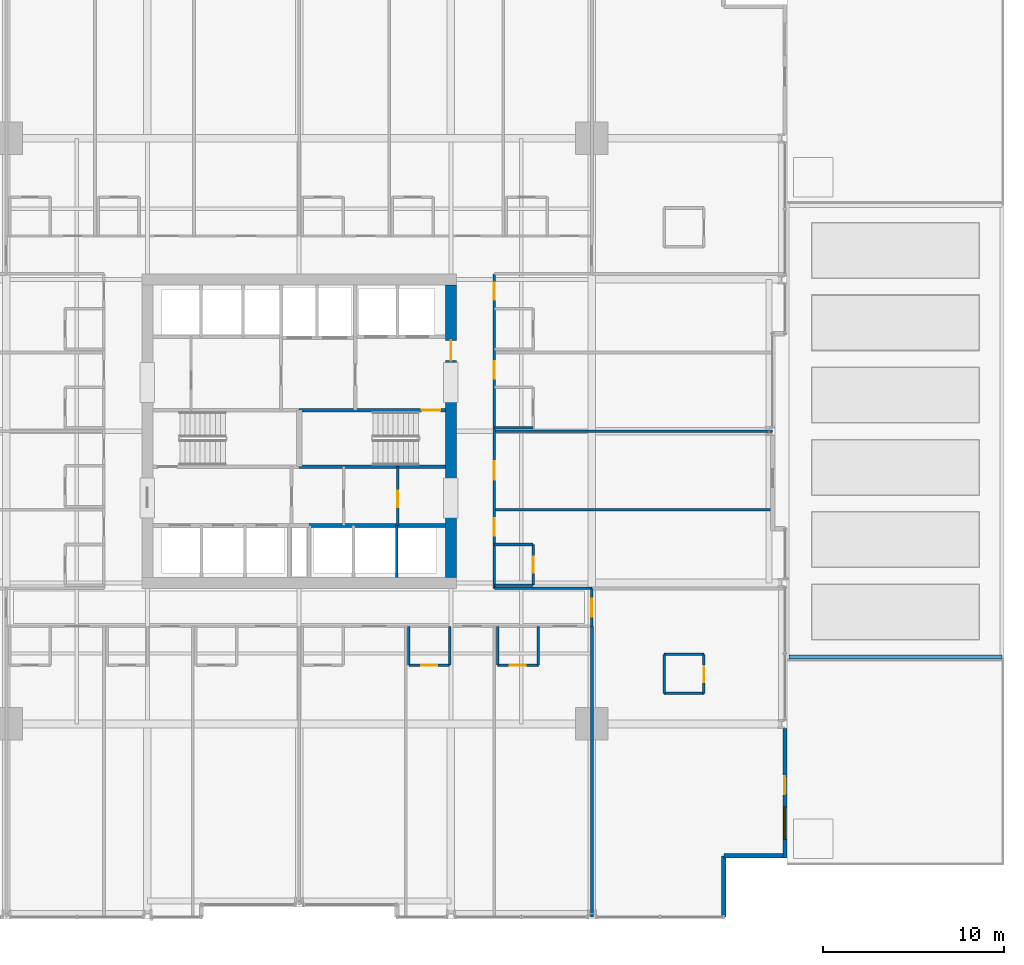
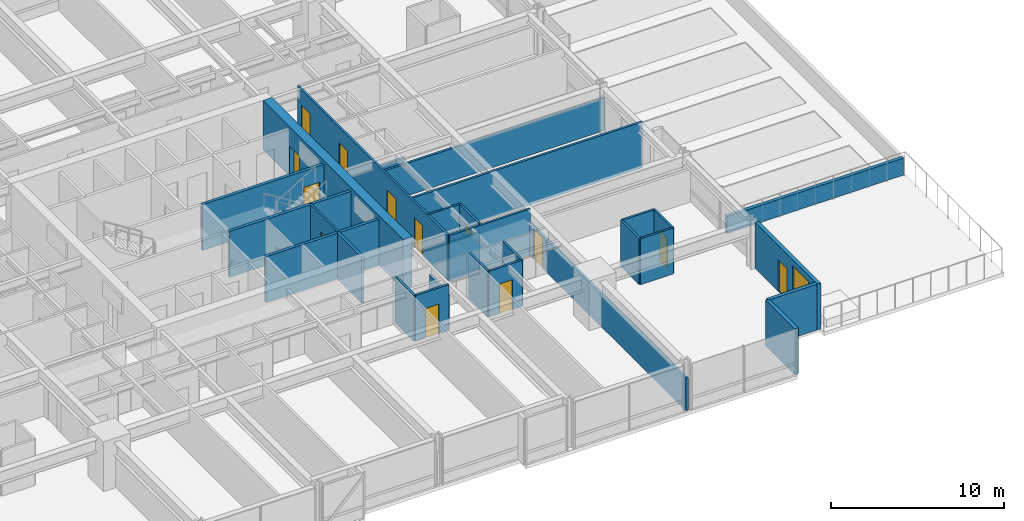
# One storey, part 33 of 42: 30 walls, 13 doors, 1 window, 14 openings.
"""IFC4 building model written with IfcOpenShell, lengths in metres."""

import ifcopenshell
import ifcopenshell.guid

model = None  # the IFC model being written
_history = None  # IfcOwnerHistory: only IFC2X3 demands one
_inside = {}  # id of a spatial element -> (the spatial element, [elements in it])
_under = {}  # id of a project, library or spatial element -> (it, [spatial elements below it])
_declared = {}  # id of a project -> (the project, [libraries it declares])
_typed = {}  # id of a type object -> (the type object, [elements of that type])
_made_of = {}  # id of a material, layer set ... -> (it, [elements and type objects made of it])


def new_model(schema):
    """Start an empty IFC model of exactly this schema.

    Asked for "IFC4X3", IfcOpenShell would pick the latest addendum, in which some entities
    have other attributes; the version numbers below select the first issue.
    IFC2X3 requires an IfcOwnerHistory on every rooted entity: one is made here for all.
    """
    global model, _history
    if schema == "IFC4X3":
        model = ifcopenshell.file(schema_version=(4, 3, 0, 0))
    else:
        model = ifcopenshell.file(schema=schema)
    _inside.clear()
    _under.clear()
    _declared.clear()
    _typed.clear()
    _made_of.clear()
    _history = None
    if model.schema == "IFC2X3":
        org = make("IfcOrganization", Name="unknown")
        user = make(
            "IfcPersonAndOrganization",
            ThePerson=make("IfcPerson", FamilyName="unknown"),
            TheOrganization=org,
        )
        app = make(
            "IfcApplication",
            ApplicationDeveloper=org,
            Version="unknown",
            ApplicationFullName="unknown",
            ApplicationIdentifier="unknown",
        )
        _history = make(
            "IfcOwnerHistory",
            OwningUser=user,
            OwningApplication=app,
            ChangeAction="ADDED",
            CreationDate=0,
        )
    return model


def make(cls, **values):
    """One entity of the class cls with the attributes given. An attribute that is None is left unset."""
    return model.create_entity(
        cls, **{name: value for name, value in values.items() if value is not None}
    )


def rooted(cls, **values):
    """An entity with a GlobalId (a new one), such as an element, a storey or a relation."""
    return make(cls, GlobalId=ifcopenshell.guid.new(), OwnerHistory=_history, **values)


def si_unit(unit_type, name, prefix=None):
    """IfcSIUnit, for example si_unit("LENGTHUNIT", "METRE", prefix="MILLI")."""
    return make("IfcSIUnit", UnitType=unit_type, Prefix=prefix, Name=name)


def assignment(units):
    """IfcUnitAssignment: the units of a project."""
    return None if units is None else make("IfcUnitAssignment", Units=units)


def point(xyz):
    """IfcCartesianPoint."""
    return None if xyz is None else make("IfcCartesianPoint", Coordinates=xyz)


def direction(xyz):
    """IfcDirection."""
    return None if xyz is None else make("IfcDirection", DirectionRatios=xyz)


def frame(location, z_axis=None, x_axis=None):
    """IfcAxis2Placement3D, a coordinate frame: its origin and axes. An axis left out is left unset."""
    return make(
        "IfcAxis2Placement3D",
        Location=point(location),
        Axis=direction(z_axis),
        RefDirection=direction(x_axis),
    )


def frame_2d(location, x_axis=None):
    """IfcAxis2Placement2D, a coordinate frame in the plane: its origin and x axis."""
    return make(
        "IfcAxis2Placement2D", Location=point(location), RefDirection=direction(x_axis)
    )


def origin():
    """The frame at (0, 0, 0) with its axes left unset."""
    return frame((0.0, 0.0, 0.0))


def place(relative_to, where):
    """IfcLocalPlacement: puts the frame where relative to a parent placement (None: the world)."""
    return make(
        "IfcLocalPlacement", PlacementRelTo=relative_to, RelativePlacement=where
    )


def context(
    kind, dimensions, precision=None, world=None, true_north=None, identifier=None
):
    """IfcGeometricRepresentationContext, for example the 3D "Model" context."""
    return make(
        "IfcGeometricRepresentationContext",
        ContextIdentifier=identifier,
        ContextType=kind,
        CoordinateSpaceDimension=dimensions,
        Precision=precision,
        WorldCoordinateSystem=world,
        TrueNorth=true_north,
    )


def subcontext(parent, identifier, kind, view, scale=None):
    """IfcGeometricRepresentationSubContext, for example "Body" below "Model"."""
    return make(
        "IfcGeometricRepresentationSubContext",
        ContextIdentifier=identifier,
        ContextType=kind,
        ParentContext=parent,
        TargetScale=scale,
        TargetView=view,
    )


def project(units=None, contexts=None):
    """IfcProject with its units and contexts."""
    return rooted(
        "IfcProject",
        Name="project",
        RepresentationContexts=contexts,
        UnitsInContext=assignment(units),
    )


def spatial(cls, under=None, at=None, **own):
    """A site, building, storey or space (cls), placed at a placement, below another one or the project."""
    s = rooted(cls, ObjectPlacement=at, **own)
    if under is not None:
        _under.setdefault(under.id(), (under, []))[1].append(s)
    return s


def profile(cls, at=None, kind="AREA", **sizes):
    """A parametric profile (cls). Its sizes go by their IFC names, for example OverallWidth=200.0."""
    return make(cls, ProfileType=kind, Position=at, **sizes)


def rectangle(**sizes):
    """IfcRectangleProfileDef."""
    return profile("IfcRectangleProfileDef", **sizes)


def extrude(swept, where, along, depth):
    """IfcExtrudedAreaSolid: the profile swept, set in the frame where, extruded along a direction by depth."""
    return make(
        "IfcExtrudedAreaSolid",
        SweptArea=swept,
        Position=where,
        ExtrudedDirection=direction(along),
        Depth=depth,
    )


def shape(context_of_items, identifier, shape_type, items):
    """IfcShapeRepresentation: the items that make up one representation, for example the "Body"."""
    return make(
        "IfcShapeRepresentation",
        ContextOfItems=context_of_items,
        RepresentationIdentifier=identifier,
        RepresentationType=shape_type,
        Items=items,
    )


def material(Name=None, Category=None):
    """IfcMaterial."""
    return make("IfcMaterial", Name=Name, Category=Category)


def layer(
    of_material, thickness, ventilated=None, Name=None, Category=None, Priority=None
):
    """IfcMaterialLayer: one layer of a wall or slab, of a material (None: an air gap)."""
    return make(
        "IfcMaterialLayer",
        Material=of_material,
        LayerThickness=thickness,
        IsVentilated=ventilated,
        Name=Name,
        Category=Category,
        Priority=Priority,
    )


def layer_set(layers, Name=None):
    """IfcMaterialLayerSet."""
    return make("IfcMaterialLayerSet", MaterialLayers=layers, LayerSetName=Name)


def made_of(thing, what):
    """Note that an element or type object is made of a material, layer set ...; save() writes the relation."""
    if what is not None:
        _made_of.setdefault(what.id(), (what, []))[1].append(thing)
    return thing


def type_object(cls, material=None, **own):
    """A type object (cls), such as IfcWallType, which elements share."""
    return made_of(rooted(cls, **own), material)


def element(
    cls,
    number,
    at=None,
    inside=None,
    cuts=None,
    type_object=None,
    material=None,
    context=None,
    identifier="Body",
    shape_type=None,
    held_by="IfcProductDefinitionShape",
    body=None,
    shapes=None,
    **own,
):
    """One element of the class cls, such as IfcWall. Its Tag is "e" and its number.

    at: its placement. inside: the storey or other place that contains it. cuts: it is an
    opening in that element (IfcRelVoidsElement). A single representation is given by context,
    identifier, shape_type and body (its items); several are given by shapes. held_by: the class
    of the entity that holds the representations. save() writes the other relations.
    """
    e = rooted(cls, Tag="e%d" % number, ObjectPlacement=at, **own)
    if body is not None:
        shapes = [shape(context, identifier, shape_type, body)]
    if shapes is not None:
        e.Representation = make(held_by, Representations=shapes)
    if inside is not None:
        _inside.setdefault(inside.id(), (inside, []))[1].append(e)
    if cuts is not None:
        rooted(
            "IfcRelVoidsElement", RelatingBuildingElement=cuts, RelatedOpeningElement=e
        )
    if type_object is not None:
        _typed.setdefault(type_object.id(), (type_object, []))[1].append(e)
    return made_of(e, material)


def fill(opening, filler):
    """IfcRelFillsElement: the door or window that sits in an opening."""
    return rooted(
        "IfcRelFillsElement",
        RelatingOpeningElement=opening,
        RelatedBuildingElement=filler,
    )


def aggregate(whole, parts):
    """IfcRelAggregates: a whole, such as a stair, and the parts it consists of."""
    return rooted("IfcRelAggregates", RelatingObject=whole, RelatedObjects=parts)


def save(model, path):
    """Write the relations noted so far, then the file.

    IfcRelAggregates (storeys below a building ...), IfcRelContainedInSpatialStructure (elements
    in a storey), IfcRelDefinesByType, IfcRelAssociatesMaterial and IfcRelDeclares: one each for
    every whole, place, type object, material and project.
    """
    for whole, parts in _under.values():
        aggregate(whole, parts)
    for where, things in _inside.values():
        rooted(
            "IfcRelContainedInSpatialStructure",
            RelatedElements=things,
            RelatingStructure=where,
        )
    for kind, things in _typed.values():
        rooted("IfcRelDefinesByType", RelatedObjects=things, RelatingType=kind)
    for what, things in _made_of.values():
        rooted("IfcRelAssociatesMaterial", RelatedObjects=things, RelatingMaterial=what)
    for by, libraries in _declared.values():
        rooted("IfcRelDeclares", RelatingContext=by, RelatedDefinitions=libraries)
    model.write(path)


model = new_model("IFC4")

# Units and contexts
model_context = context("Model", 3, precision=1e-05, world=origin(), true_north=direction((0.0, 1.0)))
body_context = subcontext(model_context, "Body", "Model", "MODEL_VIEW")
ifc_project = project(units=[si_unit("LENGTHUNIT", "METRE"), si_unit("AREAUNIT", "SQUARE_METRE"), si_unit("VOLUMEUNIT", "CUBIC_METRE"), si_unit("PLANEANGLEUNIT", "RADIAN"), si_unit("MASSUNIT", "GRAM", prefix="KILO")], contexts=[model_context])

# Site, building, storey
site_placement = place(None, origin())
site = spatial("IfcSite", under=ifc_project, at=site_placement, CompositionType="ELEMENT")
building_placement = place(site_placement, origin())
building = spatial("IfcBuilding", under=site, at=building_placement, Name="Drelvath Grand Hotel", CompositionType="ELEMENT")
storey_placement = place(building_placement, frame((0.0, 0.0, 33.199951171875)))
storey = spatial("IfcBuildingStorey", under=building, at=storey_placement, Name="L06", CompositionType="ELEMENT", Elevation=33.199951171875)

# Walls
ifc_material_1 = material(Name="Concrete C40/50", Category="concrete")
ifc_layer_1 = layer(ifc_material_1, 0.199951171875)
ifc_layer_set_1 = layer_set([ifc_layer_1], Name="Concrete C40/50")
wall_type_1 = type_object("IfcWallType", Name="Core Hoistway Fire Wall 200", PredefinedType="SOLIDWALL", material=ifc_layer_set_1)
wall_1_placement = place(storey_placement, frame((8.10009765625, 21.780029296875, 0.0), z_axis=(0.0, 0.0, 1.0), x_axis=(-1.0, 0.0, 0.0)))
element("IfcWall", 1, at=wall_1_placement, inside=storey, type_object=wall_type_1, Name="L06 Bank 2 Hoistway Wall", PredefinedType="SOLIDWALL", context=body_context, shape_type="SweptSolid", body=[
    extrude(rectangle(XDim=7.550048828125, YDim=0.199951171875, at=frame_2d((3.77490234375, 0.0))), origin(), (0.0, 0.0, 1.0), 3.239990234375),
])
ifc_layer_2 = layer(ifc_material_1, 0.199951171875)
ifc_layer_set_2 = layer_set([ifc_layer_2], Name="Concrete C40/50")
wall_type_2 = type_object("IfcWallType", Name="Core Shaft Fire Wall 200", PredefinedType="SOLIDWALL", material=ifc_layer_set_2)
wall_2_placement = place(storey_placement, frame((0.0, 25.0400390625, 0.0), z_axis=(0.0, 0.0, 1.0), x_axis=(1.0, 0.0, 0.0)))
element("IfcWall", 2, at=wall_2_placement, inside=storey, type_object=wall_type_2, Name="L06 Stair ST-2 South Wall", PredefinedType="SOLIDWALL", context=body_context, shape_type="SweptSolid", body=[
    extrude(rectangle(XDim=8.10009765625, YDim=0.199951171875, at=frame_2d((4.050048828125, 0.0))), origin(), (0.0, 0.0, 1.0), 3.239990234375),
])

# Wall, opening, door
wall_3_placement = place(storey_placement, frame((8.10009765625, 28.159912109375, 0.0), z_axis=(0.0, 0.0, 1.0), x_axis=(-1.0, 0.0, 0.0)))
wall_3 = element("IfcWall", 3, at=wall_3_placement, inside=storey, type_object=wall_type_2, Name="L06 Stair ST-2 North Wall", PredefinedType="SOLIDWALL", context=body_context, shape_type="SweptSolid", body=[
    extrude(rectangle(XDim=8.10009765625, YDim=0.199951171875, at=frame_2d((4.050048828125, 0.0))), origin(), (0.0, 0.0, 1.0), 3.239990234375),
])
opening_1_placement = place(wall_3_placement, frame((0.280029296875, 0.0, 0.0)))
opening_1 = element("IfcOpeningElement", 4, at=opening_1_placement, cuts=wall_3, Name="Opening D-T1G1-002", PredefinedType="OPENING", context=body_context, shape_type="SweptSolid", body=[
    extrude(rectangle(XDim=1.050048828125, YDim=2.10009765625, at=frame_2d((0.52490234375, 1.050048828125))), frame((0.0, 0.10986328125, 0.0), z_axis=(0.0, -1.0, 0.0), x_axis=(1.0, 0.0, 0.0)), (0.0, 0.0, 1.0), 0.219970703125),
])
ifc_material_2 = material(Name="Painted Steel S275", Category="steel")
door_type_1 = type_object("IfcDoorType", Name="Tower Stairwell Fire Door 1050x2100", OperationType="NOTDEFINED", PredefinedType="DOOR", material=ifc_material_2)
door_1_placement = place(opening_1_placement, origin())
door_1 = element("IfcDoor", 5, at=door_1_placement, inside=storey, type_object=door_type_1, Name="L06 Exit Stair ST-2 Door", OperationType="SINGLE_SWING_LEFT", OverallHeight=2.10009765625, OverallWidth=1.050048828125, PredefinedType="DOOR", context=body_context, shape_type="SweptSolid", body=[
    extrude(rectangle(XDim=1.050048828125, YDim=2.10009765625, at=frame_2d((0.52490234375, 1.050048828125))), frame((0.0, 0.02490234375, 0.0), z_axis=(0.0, -1.0, 0.0), x_axis=(1.0, 0.0, 0.0)), (0.0, 0.0, 1.0), 0.050048828125),
])
fill(opening_1, door_1)

# Walls
ifc_material_3 = material(Name="Gypsum Fireboard Partition")
ifc_layer_3 = layer(ifc_material_3, 0.1650390625)
ifc_layer_set_3 = layer_set([ifc_layer_3], Name="Gypsum Fireboard Partition")
wall_type_3 = type_object("IfcWallType", Name="Core Shaft Partition 165", PredefinedType="PARTITIONING", material=ifc_layer_set_3)
wall_4_placement = place(storey_placement, frame((5.39990234375, 18.89990234375, 0.0), z_axis=(0.0, 0.0, 1.0), x_axis=(0.0, 1.0, 0.0)))
element("IfcWall", 6, at=wall_4_placement, inside=storey, type_object=wall_type_3, Name="L06 Lift PE-5/6 Divider", PredefinedType="PARTITIONING", context=body_context, shape_type="SweptSolid", body=[
    extrude(rectangle(XDim=2.880126953125, YDim=0.1650390625, at=frame_2d((1.43994140625, 0.0))), origin(), (0.0, 0.0, 1.0), 3.239990234375),
])
ifc_layer_4 = layer(ifc_material_3, 0.135009765625)
ifc_layer_set_4 = layer_set([ifc_layer_4], Name="Gypsum Fireboard Partition")
wall_type_4 = type_object("IfcWallType", Name="Corridor Fire Barrier Wall 135", PredefinedType="PARTITIONING", material=ifc_layer_set_4)
wall_5_placement = place(storey_placement, frame((10.800048828125, 18.300048828125, 0.0), z_axis=(0.0, 0.0, 1.0), x_axis=(1.0, 0.0, 0.0)))
element("IfcWall", 7, at=wall_5_placement, inside=storey, type_object=wall_type_4, Name="L06 SE Spur Inner Wall", PredefinedType="PARTITIONING", context=body_context, shape_type="SweptSolid", body=[
    extrude(rectangle(XDim=5.39990234375, YDim=0.135009765625, at=frame_2d((2.699951171875, 0.0))), origin(), (0.0, 0.0, 1.0), 3.239990234375),
])

# Wall, openings, doors
wall_6_placement = place(storey_placement, frame((10.800048828125, 18.300048828125, 0.0), z_axis=(0.0, 0.0, 1.0), x_axis=(0.0, 1.0, 0.0)))
wall_6 = element("IfcWall", 8, at=wall_6_placement, inside=storey, type_object=wall_type_4, Name="L06 East Corridor Wall", PredefinedType="PARTITIONING", context=body_context, shape_type="SweptSolid", body=[
    extrude(rectangle(XDim=17.39990234375, YDim=0.135009765625, at=frame_2d((8.699951171875, 0.0))), origin(), (0.0, 0.0, 1.0), 3.239990234375),
])
opening_2_placement = place(wall_6_placement, frame((2.909912109375, 0.0, 0.0)))
opening_2 = element("IfcOpeningElement", 9, at=opening_2_placement, cuts=wall_6, Name="Opening D-T1G1-058", PredefinedType="OPENING", context=body_context, shape_type="SweptSolid", body=[
    extrude(rectangle(XDim=0.9599609375, YDim=2.14990234375, at=frame_2d((0.47998046875, 1.074951171875))), frame((0.0, 0.077392578125, 0.0), z_axis=(0.0, -1.0, 0.0), x_axis=(1.0, 0.0, 0.0)), (0.0, 0.0, 1.0), 0.155029296875),
])
opening_3_placement = place(wall_6_placement, frame((6.014892578125, 0.0, 0.0)))
opening_3 = element("IfcOpeningElement", 10, at=opening_3_placement, cuts=wall_6, Name="Opening D-T1G1-059", PredefinedType="OPENING", context=body_context, shape_type="SweptSolid", body=[
    extrude(rectangle(XDim=1.02001953125, YDim=2.14990234375, at=frame_2d((0.510009765625, 1.074951171875))), frame((0.0, 0.077392578125, 0.0), z_axis=(0.0, -1.0, 0.0), x_axis=(1.0, 0.0, 0.0)), (0.0, 0.0, 1.0), 0.155029296875),
])
opening_4_placement = place(wall_6_placement, frame((11.610107421875, 0.0, 0.0)))
opening_4 = element("IfcOpeningElement", 11, at=opening_4_placement, cuts=wall_6, Name="Opening D-T1G1-061", PredefinedType="OPENING", context=body_context, shape_type="SweptSolid", body=[
    extrude(rectangle(XDim=0.9599609375, YDim=2.14990234375, at=frame_2d((0.47998046875, 1.074951171875))), frame((0.0, 0.077392578125, 0.0), z_axis=(0.0, -1.0, 0.0), x_axis=(1.0, 0.0, 0.0)), (0.0, 0.0, 1.0), 0.155029296875),
])
opening_5_placement = place(wall_6_placement, frame((15.9599609375, 0.0, 0.0)))
opening_5 = element("IfcOpeningElement", 12, at=opening_5_placement, cuts=wall_6, Name="Opening D-T1G1-063", PredefinedType="OPENING", context=body_context, shape_type="SweptSolid", body=[
    extrude(rectangle(XDim=0.9599609375, YDim=2.14990234375, at=frame_2d((0.47998046875, 1.074951171875))), frame((0.0, 0.077392578125, 0.0), z_axis=(0.0, -1.0, 0.0), x_axis=(1.0, 0.0, 0.0)), (0.0, 0.0, 1.0), 0.155029296875),
])
ifc_material_4 = material(Name="Hardwood Walnut Timber", Category="wood")
door_type_2 = type_object("IfcDoorType", Name="Amenity Meeting Fire Door 1020x2150", OperationType="NOTDEFINED", PredefinedType="DOOR", material=ifc_material_4)
door_2_placement = place(opening_3_placement, origin())
door_2 = element("IfcDoor", 13, at=door_2_placement, inside=storey, type_object=door_type_2, Name="L06 Concierge Administration Office Entry Door", OperationType="SINGLE_SWING_RIGHT", OverallHeight=2.14990234375, OverallWidth=1.02001953125, PredefinedType="DOOR", context=body_context, shape_type="SweptSolid", body=[
    extrude(rectangle(XDim=1.02001953125, YDim=2.14990234375, at=frame_2d((0.510009765625, 1.074951171875))), frame((0.0, 0.02490234375, 0.0), z_axis=(0.0, -1.0, 0.0), x_axis=(1.0, 0.0, 0.0)), (0.0, 0.0, 1.0), 0.050048828125),
])
fill(opening_3, door_2)
door_type_3 = type_object("IfcDoorType", Name="Guestroom Entrance Fire Door 960x2150", OperationType="NOTDEFINED", PredefinedType="DOOR", material=ifc_material_4)
door_3_placement = place(opening_2_placement, origin())
door_3 = element("IfcDoor", 14, at=door_3_placement, inside=storey, type_object=door_type_3, Name="L06 King Guest Room Entry Door", OperationType="SINGLE_SWING_LEFT", OverallHeight=2.14990234375, OverallWidth=0.9599609375, PredefinedType="DOOR", context=body_context, shape_type="SweptSolid", body=[
    extrude(rectangle(XDim=0.9599609375, YDim=2.14990234375, at=frame_2d((0.47998046875, 1.074951171875))), frame((0.0, 0.02490234375, 0.0), z_axis=(0.0, -1.0, 0.0), x_axis=(1.0, 0.0, 0.0)), (0.0, 0.0, 1.0), 0.050048828125),
])
fill(opening_2, door_3)
door_4_placement = place(opening_4_placement, origin())
door_4 = element("IfcDoor", 15, at=door_4_placement, inside=storey, type_object=door_type_3, Name="L06 King Guest Room Entry Door", OperationType="SINGLE_SWING_RIGHT", OverallHeight=2.14990234375, OverallWidth=0.9599609375, PredefinedType="DOOR", context=body_context, shape_type="SweptSolid", body=[
    extrude(rectangle(XDim=0.9599609375, YDim=2.14990234375, at=frame_2d((0.47998046875, 1.074951171875))), frame((0.0, 0.02490234375, 0.0), z_axis=(0.0, -1.0, 0.0), x_axis=(1.0, 0.0, 0.0)), (0.0, 0.0, 1.0), 0.050048828125),
])
fill(opening_4, door_4)
door_5_placement = place(opening_5_placement, origin())
door_5 = element("IfcDoor", 16, at=door_5_placement, inside=storey, type_object=door_type_3, Name="L06 King Guest Room Entry Door", OperationType="SINGLE_SWING_RIGHT", OverallHeight=2.14990234375, OverallWidth=0.9599609375, PredefinedType="DOOR", context=body_context, shape_type="SweptSolid", body=[
    extrude(rectangle(XDim=0.9599609375, YDim=2.14990234375, at=frame_2d((0.47998046875, 1.074951171875))), frame((0.0, 0.02490234375, 0.0), z_axis=(0.0, -1.0, 0.0), x_axis=(1.0, 0.0, 0.0)), (0.0, 0.0, 1.0), 0.050048828125),
])
fill(opening_5, door_5)

# Wall, opening, door
wall_7_placement = place(storey_placement, frame((16.199951171875, 16.199951171875, 0.0), z_axis=(0.0, 0.0, 1.0), x_axis=(0.0, 1.0, 0.0)))
wall_7 = element("IfcWall", 17, at=wall_7_placement, inside=storey, type_object=wall_type_4, Name="L06 South Corridor East End", PredefinedType="PARTITIONING", context=body_context, shape_type="SweptSolid", body=[
    extrude(rectangle(XDim=2.10009765625, YDim=0.135009765625, at=frame_2d((1.050048828125, 0.0))), origin(), (0.0, 0.0, 1.0), 2.29833984375),
])
opening_6_placement = place(wall_7_placement, frame((0.52001953125, 0.0, 0.0)))
opening_6 = element("IfcOpeningElement", 18, at=opening_6_placement, cuts=wall_7, Name="Opening D-T1G1-021", PredefinedType="OPENING", context=body_context, shape_type="SweptSolid", body=[
    extrude(rectangle(XDim=1.02001953125, YDim=2.14990234375, at=frame_2d((0.510009765625, 1.074951171875))), frame((0.0, 0.077392578125, 0.0), z_axis=(0.0, -1.0, 0.0), x_axis=(1.0, 0.0, 0.0)), (0.0, 0.0, 1.0), 0.155029296875),
])
door_6_placement = place(opening_6_placement, origin())
door_6 = element("IfcDoor", 19, at=door_6_placement, inside=storey, type_object=door_type_2, Name="L06 Corner Suite Entry Door", OperationType="SINGLE_SWING_RIGHT", OverallHeight=2.14990234375, OverallWidth=1.02001953125, PredefinedType="DOOR", context=body_context, shape_type="SweptSolid", body=[
    extrude(rectangle(XDim=1.02001953125, YDim=2.14990234375, at=frame_2d((0.510009765625, 1.074951171875))), frame((0.0, 0.02490234375, 0.0), z_axis=(0.0, -1.0, 0.0), x_axis=(1.0, 0.0, 0.0)), (0.0, 0.0, 1.0), 0.050048828125),
])
fill(opening_6, door_6)

ifc_material_5 = material(Name="Moisture-Resistant Gypsum Board")
ifc_layer_5 = layer(ifc_material_5, 0.139892578125)
ifc_layer_set_5 = layer_set([ifc_layer_5], Name="Moisture-Resistant Gypsum Board")
wall_type_5 = type_object("IfcWallType", Name="En-Suite Plumbing Wall 140", PredefinedType="PLUMBINGWALL", material=ifc_layer_set_5)
wall_8_placement = place(storey_placement, frame((5.4599609375, 21.780029296875, 0.0), z_axis=(0.0, 0.0, 1.0), x_axis=(0.0, 1.0, 0.0)))
wall_8 = element("IfcWall", 20, at=wall_8_placement, inside=storey, type_object=wall_type_5, Name="L06 Staff WC East Wall", PredefinedType="PLUMBINGWALL", context=body_context, shape_type="SweptSolid", body=[
    extrude(rectangle(XDim=3.260009765625, YDim=0.139892578125, at=frame_2d((1.6298828125, 0.0))), origin(), (0.0, 0.0, 1.0), 3.239990234375),
])
opening_7_placement = place(wall_8_placement, frame((1.0, 0.0, 0.0)))
opening_7 = element("IfcOpeningElement", 21, at=opening_7_placement, cuts=wall_8, Name="Opening D-T1G1-017", PredefinedType="OPENING", context=body_context, shape_type="SweptSolid", body=[
    extrude(rectangle(XDim=0.919921875, YDim=2.10009765625, at=frame_2d((0.4599609375, 1.050048828125))), frame((0.0, 0.079833984375, 0.0), z_axis=(0.0, -1.0, 0.0), x_axis=(1.0, 0.0, 0.0)), (0.0, 0.0, 1.0), 0.159912109375),
])
door_type_4 = type_object("IfcDoorType", Name="Staff Utility Door 920x2100", OperationType="NOTDEFINED", PredefinedType="DOOR", material=ifc_material_2)
door_7_placement = place(opening_7_placement, origin())
door_7 = element("IfcDoor", 22, at=door_7_placement, inside=storey, type_object=door_type_4, Name="L06 Janitor Supply Door", OperationType="SINGLE_SWING_RIGHT", OverallHeight=2.10009765625, OverallWidth=0.919921875, PredefinedType="DOOR", context=body_context, shape_type="SweptSolid", body=[
    extrude(rectangle(XDim=0.919921875, YDim=2.10009765625, at=frame_2d((0.4599609375, 1.050048828125))), frame((0.0, 0.02490234375, 0.0), z_axis=(0.0, -1.0, 0.0), x_axis=(1.0, 0.0, 0.0)), (0.0, 0.0, 1.0), 0.050048828125),
])
fill(opening_7, door_7)

# Walls
for number, where, z_axis, x_axis, name in (
    (23, (20.199951171875, 12.5, 0.0), (0.0, 0.0, 1.0), (1.0, 0.0, 0.0), "L06 Corner En-Suite South"),
    (24, (20.199951171875, 14.64990234375, 0.0), (0.0, 0.0, 1.0), (1.0, 0.0, 0.0), "L06 Corner En-Suite North"),
):
    element("IfcWall", number, at=place(storey_placement, frame(where, z_axis=z_axis, x_axis=x_axis)), inside=storey, type_object=wall_type_5, Name=name, PredefinedType="PLUMBINGWALL", context=body_context, shape_type="SweptSolid", body=[
        extrude(rectangle(XDim=2.199951171875, YDim=0.139892578125, at=frame_2d((1.10009765625, 0.0))), origin(), (0.0, 0.0, 1.0), 3.239990234375),
    ])
wall_9_placement = place(storey_placement, frame((20.199951171875, 12.5, 0.0), z_axis=(0.0, 0.0, 1.0), x_axis=(0.0, 1.0, 0.0)))
element("IfcWall", 25, at=wall_9_placement, inside=storey, type_object=wall_type_5, Name="L06 Corner En-Suite West", PredefinedType="PLUMBINGWALL", context=body_context, shape_type="SweptSolid", body=[
    extrude(rectangle(XDim=2.14990234375, YDim=0.139892578125, at=frame_2d((1.074951171875, 0.0))), origin(), (0.0, 0.0, 1.0), 3.239990234375),
])

# Wall, opening, door
wall_10_placement = place(storey_placement, frame((22.39990234375, 12.5, 0.0), z_axis=(0.0, 0.0, 1.0), x_axis=(0.0, 1.0, 0.0)))
wall_10 = element("IfcWall", 26, at=wall_10_placement, inside=storey, type_object=wall_type_5, Name="L06 Corner En-Suite East", PredefinedType="PLUMBINGWALL", context=body_context, shape_type="SweptSolid", body=[
    extrude(rectangle(XDim=2.14990234375, YDim=0.139892578125, at=frame_2d((1.074951171875, 0.0))), origin(), (0.0, 0.0, 1.0), 3.239990234375),
])
opening_8_placement = place(wall_10_placement, frame((0.6201171875, 0.0, 0.0)))
opening_8 = element("IfcOpeningElement", 27, at=opening_8_placement, cuts=wall_10, Name="Opening D-T1G1-020", PredefinedType="OPENING", context=body_context, shape_type="SweptSolid", body=[
    extrude(rectangle(XDim=0.8798828125, YDim=2.10009765625, at=frame_2d((0.43994140625, 1.050048828125))), frame((0.0, 0.079833984375, 0.0), z_axis=(0.0, -1.0, 0.0), x_axis=(1.0, 0.0, 0.0)), (0.0, 0.0, 1.0), 0.159912109375),
])
door_type_5 = type_object("IfcDoorType", Name="En-Suite Bathroom Door 880x2100", OperationType="NOTDEFINED", PredefinedType="DOOR", material=ifc_material_4)
door_8_placement = place(opening_8_placement, origin())
door_8 = element("IfcDoor", 28, at=door_8_placement, inside=storey, type_object=door_type_5, Name="L06 Corner En-Suite Door", OperationType="SINGLE_SWING_LEFT", OverallHeight=2.10009765625, OverallWidth=0.8798828125, PredefinedType="DOOR", context=body_context, shape_type="SweptSolid", body=[
    extrude(rectangle(XDim=0.8798828125, YDim=2.10009765625, at=frame_2d((0.43994140625, 1.050048828125))), frame((0.0, 0.02490234375, 0.0), z_axis=(0.0, -1.0, 0.0), x_axis=(1.0, 0.0, 0.0)), (0.0, 0.0, 1.0), 0.050048828125),
])
fill(opening_8, door_8)

# Walls
wall_11_placement = place(storey_placement, frame((6.07080078125, 16.199951171875, 0.0), z_axis=(0.0, 0.0, 1.0), x_axis=(0.0, -1.0, 0.0)))
element("IfcWall", 29, at=wall_11_placement, inside=storey, type_object=wall_type_5, Name="L06 En-Suite Left Wall", PredefinedType="PLUMBINGWALL", context=body_context, shape_type="SweptSolid", body=[
    extrude(rectangle(XDim=2.14990234375, YDim=0.139892578125, at=frame_2d((1.074951171875, 0.0))), origin(), (0.0, 0.0, 1.0), 3.239990234375),
])
wall_12_placement = place(storey_placement, frame((8.32080078125, 16.199951171875, 0.0), z_axis=(0.0, 0.0, 1.0), x_axis=(0.0, -1.0, 0.0)))
element("IfcWall", 30, at=wall_12_placement, inside=storey, type_object=wall_type_5, Name="L06 En-Suite Right Wall", PredefinedType="PLUMBINGWALL", context=body_context, shape_type="SweptSolid", body=[
    extrude(rectangle(XDim=2.14990234375, YDim=0.139892578125, at=frame_2d((1.074951171875, 0.0))), origin(), (0.0, 0.0, 1.0), 2.617431640625),
])

# Wall, opening, door
wall_13_placement = place(storey_placement, frame((6.07080078125, 14.050048828125, 0.0), z_axis=(0.0, 0.0, 1.0), x_axis=(1.0, 0.0, 0.0)))
wall_13 = element("IfcWall", 31, at=wall_13_placement, inside=storey, type_object=wall_type_5, Name="L06 En-Suite Front Wall", PredefinedType="PLUMBINGWALL", context=body_context, shape_type="SweptSolid", body=[
    extrude(rectangle(XDim=2.25, YDim=0.139892578125, at=frame_2d((1.125, 0.0))), origin(), (0.0, 0.0, 1.0), 3.239990234375),
])
opening_9_placement = place(wall_13_placement, frame((0.68505859375, 0.0, 0.0)))
opening_9 = element("IfcOpeningElement", 32, at=opening_9_placement, cuts=wall_13, Name="Opening D-T1G1-034", PredefinedType="OPENING", context=body_context, shape_type="SweptSolid", body=[
    extrude(rectangle(XDim=0.8798828125, YDim=2.10009765625, at=frame_2d((0.43994140625, 1.050048828125))), frame((0.0, 0.079833984375, 0.0), z_axis=(0.0, -1.0, 0.0), x_axis=(1.0, 0.0, 0.0)), (0.0, 0.0, 1.0), 0.159912109375),
])
door_9_placement = place(opening_9_placement, origin())
door_9 = element("IfcDoor", 33, at=door_9_placement, inside=storey, type_object=door_type_5, Name="L06 En-Suite Bathroom Door", OperationType="SINGLE_SWING_LEFT", OverallHeight=2.10009765625, OverallWidth=0.8798828125, PredefinedType="DOOR", context=body_context, shape_type="SweptSolid", body=[
    extrude(rectangle(XDim=0.8798828125, YDim=2.10009765625, at=frame_2d((0.43994140625, 1.050048828125))), frame((0.0, 0.02490234375, 0.0), z_axis=(0.0, -1.0, 0.0), x_axis=(1.0, 0.0, 0.0)), (0.0, 0.0, 1.0), 0.050048828125),
])
fill(opening_9, door_9)

# Walls
for number, where, z_axis, x_axis, name in (
    (34, (10.97998046875, 16.199951171875, 0.0), (0.0, 0.0, 1.0), (0.0, -1.0, 0.0), "L06 En-Suite Left Wall"),
    (35, (13.22998046875, 16.199951171875, 0.0), (0.0, 0.0, 1.0), (0.0, -1.0, 0.0), "L06 En-Suite Right Wall"),
):
    element("IfcWall", number, at=place(storey_placement, frame(where, z_axis=z_axis, x_axis=x_axis)), inside=storey, type_object=wall_type_5, Name=name, PredefinedType="PLUMBINGWALL", context=body_context, shape_type="SweptSolid", body=[
        extrude(rectangle(XDim=2.14990234375, YDim=0.139892578125, at=frame_2d((1.074951171875, 0.0))), origin(), (0.0, 0.0, 1.0), 3.239990234375),
    ])

# Wall, opening, door
wall_14_placement = place(storey_placement, frame((10.97998046875, 14.050048828125, 0.0), z_axis=(0.0, 0.0, 1.0), x_axis=(1.0, 0.0, 0.0)))
wall_14 = element("IfcWall", 36, at=wall_14_placement, inside=storey, type_object=wall_type_5, Name="L06 En-Suite Front Wall", PredefinedType="PLUMBINGWALL", context=body_context, shape_type="SweptSolid", body=[
    extrude(rectangle(XDim=2.25, YDim=0.139892578125, at=frame_2d((1.125, 0.0))), origin(), (0.0, 0.0, 1.0), 3.239990234375),
])
opening_10_placement = place(wall_14_placement, frame((0.68505859375, 0.0, 0.0)))
opening_10 = element("IfcOpeningElement", 37, at=opening_10_placement, cuts=wall_14, Name="Opening D-T1G1-036", PredefinedType="OPENING", context=body_context, shape_type="SweptSolid", body=[
    extrude(rectangle(XDim=0.8798828125, YDim=2.10009765625, at=frame_2d((0.43994140625, 1.050048828125))), frame((0.0, 0.079833984375, 0.0), z_axis=(0.0, -1.0, 0.0), x_axis=(1.0, 0.0, 0.0)), (0.0, 0.0, 1.0), 0.159912109375),
])
door_10_placement = place(opening_10_placement, origin())
door_10 = element("IfcDoor", 38, at=door_10_placement, inside=storey, type_object=door_type_5, Name="L06 En-Suite Bathroom Door", OperationType="SINGLE_SWING_LEFT", OverallHeight=2.10009765625, OverallWidth=0.8798828125, PredefinedType="DOOR", context=body_context, shape_type="SweptSolid", body=[
    extrude(rectangle(XDim=0.8798828125, YDim=2.10009765625, at=frame_2d((0.43994140625, 1.050048828125))), frame((0.0, 0.02490234375, 0.0), z_axis=(0.0, -1.0, 0.0), x_axis=(1.0, 0.0, 0.0)), (0.0, 0.0, 1.0), 0.050048828125),
])
fill(opening_10, door_10)

# Walls
wall_15_placement = place(storey_placement, frame((10.800048828125, 18.47998046875, 0.0), z_axis=(0.0, 0.0, 1.0), x_axis=(1.0, 0.0, 0.0)))
element("IfcWall", 39, at=wall_15_placement, inside=storey, type_object=wall_type_5, Name="L06 En-Suite Left Wall", PredefinedType="PLUMBINGWALL", context=body_context, shape_type="SweptSolid", body=[
    extrude(rectangle(XDim=2.14990234375, YDim=0.139892578125, at=frame_2d((1.074951171875, 0.0))), origin(), (0.0, 0.0, 1.0), 2.617431640625),
])
wall_16_placement = place(storey_placement, frame((10.800048828125, 20.72998046875, 0.0), z_axis=(0.0, 0.0, 1.0), x_axis=(1.0, 0.0, 0.0)))
element("IfcWall", 40, at=wall_16_placement, inside=storey, type_object=wall_type_5, Name="L06 En-Suite Right Wall", PredefinedType="PLUMBINGWALL", context=body_context, shape_type="SweptSolid", body=[
    extrude(rectangle(XDim=2.14990234375, YDim=0.139892578125, at=frame_2d((1.074951171875, 0.0))), origin(), (0.0, 0.0, 1.0), 3.239990234375),
])

# Wall, opening, door
wall_17_placement = place(storey_placement, frame((12.949951171875, 18.47998046875, 0.0), z_axis=(0.0, 0.0, 1.0), x_axis=(0.0, 1.0, 0.0)))
wall_17 = element("IfcWall", 41, at=wall_17_placement, inside=storey, type_object=wall_type_5, Name="L06 En-Suite Front Wall", PredefinedType="PLUMBINGWALL", context=body_context, shape_type="SweptSolid", body=[
    extrude(rectangle(XDim=2.25, YDim=0.139892578125, at=frame_2d((1.125, 0.0))), origin(), (0.0, 0.0, 1.0), 3.239990234375),
])
opening_11_placement = place(wall_17_placement, frame((0.68505859375, 0.0, 0.0)))
opening_11 = element("IfcOpeningElement", 42, at=opening_11_placement, cuts=wall_17, Name="Opening D-T1G1-057", PredefinedType="OPENING", context=body_context, shape_type="SweptSolid", body=[
    extrude(rectangle(XDim=0.8798828125, YDim=2.10009765625, at=frame_2d((0.43994140625, 1.050048828125))), frame((0.0, 0.079833984375, 0.0), z_axis=(0.0, -1.0, 0.0), x_axis=(1.0, 0.0, 0.0)), (0.0, 0.0, 1.0), 0.159912109375),
])
door_11_placement = place(opening_11_placement, origin())
door_11 = element("IfcDoor", 43, at=door_11_placement, inside=storey, type_object=door_type_5, Name="L06 En-Suite Bathroom Door", OperationType="SINGLE_SWING_RIGHT", OverallHeight=2.10009765625, OverallWidth=0.8798828125, PredefinedType="DOOR", context=body_context, shape_type="SweptSolid", body=[
    extrude(rectangle(XDim=0.8798828125, YDim=2.10009765625, at=frame_2d((0.43994140625, 1.050048828125))), frame((0.0, 0.02490234375, 0.0), z_axis=(0.0, -1.0, 0.0), x_axis=(1.0, 0.0, 0.0)), (0.0, 0.0, 1.0), 0.050048828125),
])
fill(opening_11, door_11)

# Walls
wall_18_placement = place(storey_placement, frame((10.800048828125, 27.179931640625, 0.0), z_axis=(0.0, 0.0, 1.0), x_axis=(1.0, 0.0, 0.0)))
element("IfcWall", 44, at=wall_18_placement, inside=storey, type_object=wall_type_5, Name="L06 En-Suite Left Wall", PredefinedType="PLUMBINGWALL", context=body_context, shape_type="SweptSolid", body=[
    extrude(rectangle(XDim=2.14990234375, YDim=0.139892578125, at=frame_2d((1.074951171875, 0.0))), origin(), (0.0, 0.0, 1.0), 2.617431640625),
])
ifc_material_6 = material(Name="Gypsum Acoustic Partition")
ifc_layer_6 = layer(ifc_material_6, 0.14990234375)
ifc_layer_set_6 = layer_set([ifc_layer_6], Name="Gypsum Acoustic Partition")
wall_type_6 = type_object("IfcWallType", Name="Guestroom Demising Wall 150", PredefinedType="PARTITIONING", material=ifc_layer_set_6)
wall_19_placement = place(storey_placement, frame((10.800048828125, 22.64990234375, 0.0), z_axis=(0.0, 0.0, 1.0), x_axis=(1.0, 0.0, 0.0)))
element("IfcWall", 45, at=wall_19_placement, inside=storey, type_object=wall_type_6, Name="L06 East Demising 1", PredefinedType="PARTITIONING", context=body_context, shape_type="SweptSolid", body=[
    extrude(rectangle(XDim=15.39990234375, YDim=0.14990234375, at=frame_2d((7.699951171875, 0.0))), origin(), (0.0, 0.0, 1.0), 3.239990234375),
])
wall_20_placement = place(storey_placement, frame((10.800048828125, 27.0, 0.0), z_axis=(0.0, 0.0, 1.0), x_axis=(1.0, 0.0, 0.0)))
element("IfcWall", 46, at=wall_20_placement, inside=storey, type_object=wall_type_6, Name="L06 East Demising 2", PredefinedType="PARTITIONING", context=body_context, shape_type="SweptSolid", body=[
    extrude(rectangle(XDim=15.39990234375, YDim=0.14990234375, at=frame_2d((7.699951171875, 0.0))), origin(), (0.0, 0.0, 1.0), 2.29833984375),
])

# Wall, opening, door
ifc_material_7 = material(Name="Concrete f'c 70 MPa", Category="concrete")
ifc_layer_7 = layer(ifc_material_7, 0.60009765625)
ifc_layer_set_7 = layer_set([ifc_layer_7], Name="Concrete f'c 70 MPa")
wall_type_7 = type_object("IfcWallType", Name="Lower Core RC Shear Wall 600", PredefinedType="SHEAR", material=ifc_layer_set_7)
wall_21_placement = place(storey_placement, frame((8.39990234375, 35.10009765625, 0.0), z_axis=(0.0, 0.0, 1.0), x_axis=(0.0, -1.0, 0.0)))
wall_21 = element("IfcWall", 47, at=wall_21_placement, inside=storey, type_object=wall_type_7, Name="L06 Central Core Shear Wall E", PredefinedType="SHEAR", context=body_context, shape_type="SweptSolid", body=[
    extrude(rectangle(XDim=16.2001953125, YDim=0.60009765625, at=frame_2d((8.10009765625, 0.0))), origin(), (0.0, 0.0, 1.0), 3.5),
])
opening_12_placement = place(wall_21_placement, frame((3.080078125, 0.0, 0.0)))
opening_12 = element("IfcOpeningElement", 48, at=opening_12_placement, cuts=wall_21, Name="Opening D-T1G1-006", PredefinedType="OPENING", context=body_context, shape_type="SweptSolid", body=[
    extrude(rectangle(XDim=1.1201171875, YDim=2.10009765625, at=frame_2d((0.56005859375, 1.050048828125))), frame((0.0, 0.31005859375, 0.0), z_axis=(0.0, -1.0, 0.0), x_axis=(1.0, 0.0, 0.0)), (0.0, 0.0, 1.0), 0.6201171875),
])
door_type_6 = type_object("IfcDoorType", Name="FSAE Smoke Lobby Fire Door 1120x2100", OperationType="NOTDEFINED", PredefinedType="DOOR", material=ifc_material_2)
door_12_placement = place(opening_12_placement, origin())
door_12 = element("IfcDoor", 49, at=door_12_placement, inside=storey, type_object=door_type_6, Name="L06 FSAE Lobby East Corridor Door", OperationType="SINGLE_SWING_LEFT", OverallHeight=2.10009765625, OverallWidth=1.1201171875, PredefinedType="DOOR", context=body_context, shape_type="SweptSolid", body=[
    extrude(rectangle(XDim=1.1201171875, YDim=2.10009765625, at=frame_2d((0.56005859375, 1.050048828125))), frame((0.0, 0.02490234375, 0.0), z_axis=(0.0, -1.0, 0.0), x_axis=(1.0, 0.0, 0.0)), (0.0, 0.0, 1.0), 0.050048828125),
])
fill(opening_12, door_12)

# Walls
ifc_material_8 = material(Name="Pale-Metal Cladded Concrete C40/50 Parapet", Category="concrete")
ifc_layer_8 = layer(ifc_material_8, 0.219970703125)
ifc_layer_set_8 = layer_set([ifc_layer_8], Name="Pale-Metal Cladded Concrete C40/50 Parapet")
wall_type_8 = type_object("IfcWallType", Name="Roof Coping Parapet Wall 220", PredefinedType="PARAPET", material=ifc_layer_set_8)
wall_22_placement = place(storey_placement, frame((38.889892578125, 14.510009765625, 0.0), z_axis=(0.0, 0.0, 1.0), x_axis=(-1.0, 0.0, 0.0)))
element("IfcWall", 50, at=wall_22_placement, inside=storey, type_object=wall_type_8, Name="L06 Atrium Roof Parapet Wall S", PredefinedType="PARAPET", context=body_context, shape_type="SweptSolid", body=[
    extrude(rectangle(XDim=11.789794921875, YDim=0.219970703125, at=frame_2d((5.89501953125, 0.0))), origin(), (0.0, 0.0, 1.0), 1.199951171875),
])
ifc_layer_9 = layer(ifc_material_6, 0.1650390625)
ifc_layer_set_9 = layer_set([ifc_layer_9], Name="Gypsum Acoustic Partition")
wall_type_9 = type_object("IfcWallType", Name="Suite Demising Wall 165", PredefinedType="PARTITIONING", material=ifc_layer_set_9)
wall_23_placement = place(storey_placement, frame((16.199951171875, 0.1201171875, 0.0), z_axis=(0.0, 0.0, 1.0), x_axis=(0.0, 1.0, 0.0)))
element("IfcWall", 51, at=wall_23_placement, inside=storey, type_object=wall_type_9, Name="L06 SE Wing Boundary Wall", PredefinedType="PARTITIONING", context=body_context, shape_type="SweptSolid", body=[
    extrude(rectangle(XDim=16.079833984375, YDim=0.1650390625, at=frame_2d((8.0400390625, 0.0))), origin(), (0.0, 0.0, 1.0), 2.29833984375),
])

# Wall, openings, window, door
ifc_material_9 = material(Name="Pale-Metal Insulated Aluminium Spandrel Assembly", Category="aluminium")
ifc_layer_10 = layer(ifc_material_9, 0.239990234375)
ifc_layer_set_10 = layer_set([ifc_layer_10], Name="Pale-Metal Insulated Aluminium Spandrel Assembly")
wall_type_10 = type_object("IfcWallType", Name="Tower Insulated Metal Spandrel Closure Wall 240", PredefinedType="STANDARD", material=ifc_layer_set_10)
wall_24_placement = place(storey_placement, frame((26.8798828125, 10.55908203125, 0.0), z_axis=(0.0, 0.0, 1.0), x_axis=(0.0, -1.0, 0.0)))
wall_24 = element("IfcWall", 52, at=wall_24_placement, inside=storey, type_object=wall_type_10, Name="L06 Exterior Terrace Door Bay Wall ES1", PredefinedType="STANDARD", context=body_context, shape_type="SweptSolid", body=[
    extrude(rectangle(XDim=7.17919921875, YDim=0.239990234375, at=frame_2d((3.589599609375, 0.0))), origin(), (0.0, 0.0, 1.0), 3.239990234375),
])
opening_13_placement = place(wall_24_placement, frame((2.6591796875, 0.0, 0.0)))
opening_13 = element("IfcOpeningElement", 53, at=opening_13_placement, cuts=wall_24, Name="Opening TD-1000", PredefinedType="OPENING", context=body_context, shape_type="SweptSolid", body=[
    extrude(rectangle(XDim=1.0, YDim=2.199951171875, at=frame_2d((0.5, 1.10009765625))), frame((0.0, 0.1298828125, 0.0), z_axis=(0.0, -1.0, 0.0), x_axis=(1.0, 0.0, 0.0)), (0.0, 0.0, 1.0), 0.260009765625),
])
opening_14_placement = place(wall_24_placement, frame((4.343994140625, 0.0, 0.75)))
opening_14 = element("IfcOpeningElement", 54, at=opening_14_placement, cuts=wall_24, Name="Opening W-02", PredefinedType="OPENING", context=body_context, shape_type="SweptSolid", body=[
    extrude(rectangle(XDim=1.800048828125, YDim=2.050048828125, at=frame_2d((0.89990234375, 1.02490234375))), frame((0.0, 0.1298828125, 0.0), z_axis=(0.0, -1.0, 0.0), x_axis=(1.0, 0.0, 0.0)), (0.0, 0.0, 1.0), 0.260009765625),
])
ifc_material_10 = material(Name="Bronze Anodised Low-E Triple Glazing", Category="glass")
window_type = type_object("IfcWindowType", Name="Chicago Double-Pane Podium Window 1800x2400", PartitioningType="DOUBLE_PANEL_VERTICAL", PredefinedType="WINDOW", material=ifc_material_10)
window_placement = place(opening_14_placement, origin())
window = element("IfcWindow", 55, at=window_placement, inside=storey, type_object=window_type, Name="L06 Terrace Bay Companion Window ES1", OverallHeight=2.050048828125, OverallWidth=1.800048828125, PartitioningType="SINGLE_PANEL", PredefinedType="WINDOW", context=body_context, shape_type="SweptSolid", body=[
    extrude(rectangle(XDim=1.800048828125, YDim=2.050048828125, at=frame_2d((0.89990234375, 1.02490234375))), frame((0.0, 0.030029296875, 0.0), z_axis=(0.0, -1.0, 0.0), x_axis=(1.0, 0.0, 0.0)), (0.0, 0.0, 1.0), 0.06005859375),
])
fill(opening_14, window)
ifc_material_11 = material(Name="Anodised Aluminium Thermally Broken Glazed Door", Category="aluminium")
door_type_7 = type_object("IfcDoorType", Name="Terrace and Tree Balcony Glazed Door 1000x2200", OperationType="NOTDEFINED", PredefinedType="DOOR", material=ifc_material_11)
door_13_placement = place(opening_13_placement, origin())
door_13 = element("IfcDoor", 56, at=door_13_placement, inside=storey, type_object=door_type_7, Name="L06 Setback Terrace Door DOOR-L06-TERR-1", OperationType="SINGLE_SWING_LEFT", OverallHeight=2.199951171875, OverallWidth=1.0, PredefinedType="DOOR", context=body_context, shape_type="SweptSolid", body=[
    extrude(rectangle(XDim=1.0, YDim=2.199951171875, at=frame_2d((0.5, 1.10009765625))), frame((0.0, 0.02490234375, 0.0), z_axis=(0.0, -1.0, 0.0), x_axis=(1.0, 0.0, 0.0)), (0.0, 0.0, 1.0), 0.050048828125),
])
fill(opening_13, door_13)

# Walls
wall_25_placement = place(storey_placement, frame((26.760009765625, 3.5, 0.0), z_axis=(0.0, 0.0, 1.0), x_axis=(-1.0, 0.0, 0.0)))
element("IfcWall", 57, at=wall_25_placement, inside=storey, type_object=wall_type_10, Name="L06 Notched Corner Return Spandrel Wall CSE1", PredefinedType="STANDARD", context=body_context, shape_type="SweptSolid", body=[
    extrude(rectangle(XDim=3.260009765625, YDim=0.239990234375, at=frame_2d((1.6298828125, 0.0))), origin(), (0.0, 0.0, 1.0), 3.239990234375),
])
wall_26_placement = place(storey_placement, frame((23.5, 3.5, 0.0), z_axis=(0.0, 0.0, 1.0), x_axis=(0.0, -1.0, 0.0)))
element("IfcWall", 58, at=wall_26_placement, inside=storey, type_object=wall_type_10, Name="L06 Notched Corner Return Spandrel Wall CSE2", PredefinedType="STANDARD", context=body_context, shape_type="SweptSolid", body=[
    extrude(rectangle(XDim=3.3798828125, YDim=0.239990234375, at=frame_2d((1.68994140625, 0.0))), origin(), (0.0, 0.0, 1.0), 3.239990234375),
])

save(model, "model.ifc")
